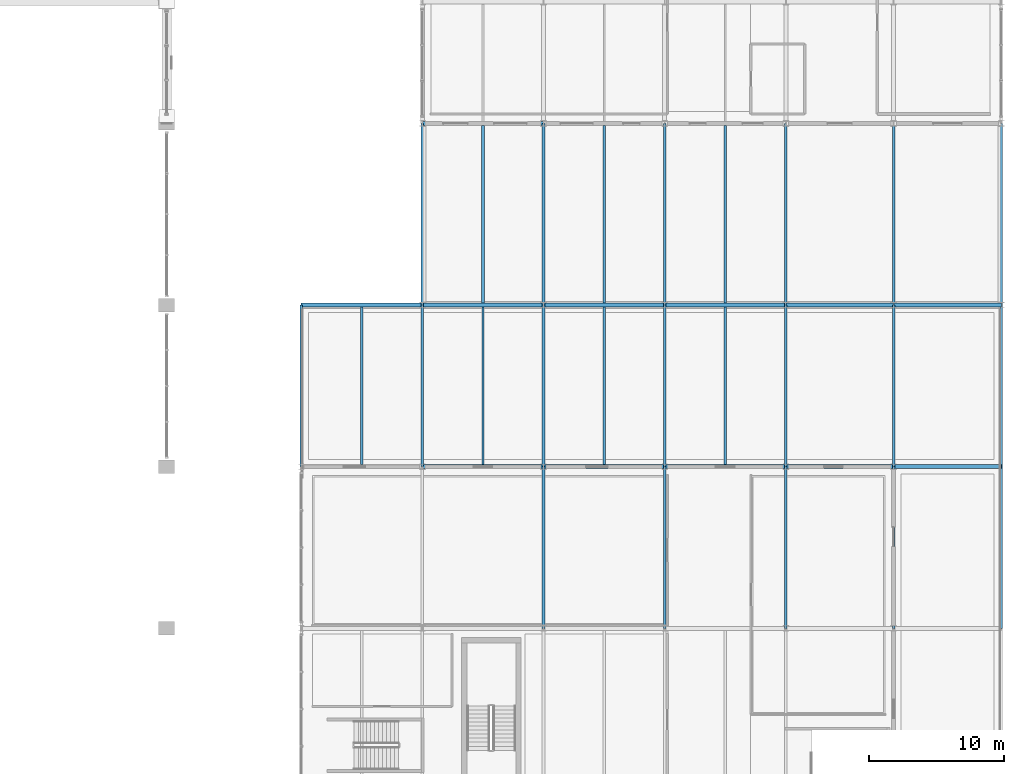
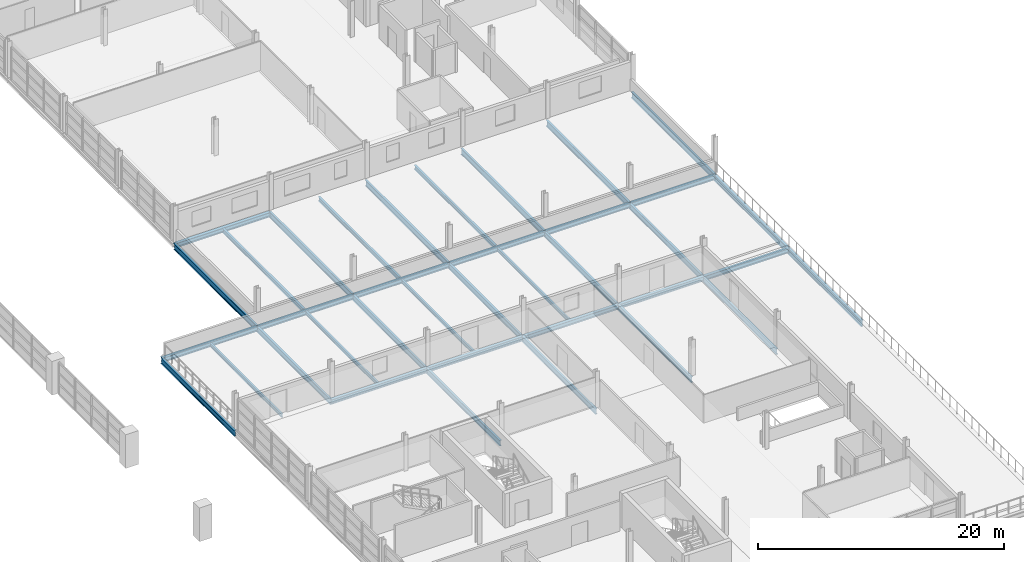
# One storey, part 66 of 116: 37 beams.
"""IFC4 building model written with IfcOpenShell, lengths in metres."""

from ifc_helpers import new_model, si_unit, direction, frame, origin, origin_2d, place, context, subcontext, project, spatial, i_section, extrude, material, material_profile, profile_set, type_object, element, save


model = new_model("IFC4")

# Units and contexts
model_context = context("Model", 3, precision=1e-05, world=origin(), true_north=direction((0.0, 1.0)))
body_context = subcontext(model_context, "Body", "Model", "MODEL_VIEW")
ifc_project = project(units=[si_unit("LENGTHUNIT", "METRE"), si_unit("AREAUNIT", "SQUARE_METRE"), si_unit("VOLUMEUNIT", "CUBIC_METRE"), si_unit("PLANEANGLEUNIT", "RADIAN"), si_unit("MASSUNIT", "GRAM", prefix="KILO")], contexts=[model_context])

# Site, building, storey
site_placement = place(None, origin())
site = spatial("IfcSite", under=ifc_project, at=site_placement, CompositionType="ELEMENT")
building_placement = place(site_placement, origin())
building = spatial("IfcBuilding", under=site, at=building_placement, Name="Chuanluo Vaults Station", CompositionType="ELEMENT")
storey_placement = place(building_placement, frame((0.0, 0.0, 10.800048828125)))
storey = spatial("IfcBuildingStorey", under=building, at=storey_placement, Name="L02", CompositionType="ELEMENT", Elevation=10.800048828125)

# Beams
ifc_material_1 = material(Name="Steel Q355C", Category="steel")
ifc_material_profile_1 = material_profile(ifc_material_1, i_section(OverallWidth=0.300048828125, OverallDepth=0.43994140625, WebThickness=0.010986328125, FlangeThickness=0.01806640625, FilletRadius=0.02001953125, at=origin_2d()))
ifc_profile_set_1 = profile_set([ifc_material_profile_1], Name="Steel Q355C")
beam_type_1 = type_object("IfcBeamType", Name="BM-GRD-450", PredefinedType="USERDEFINED", material=ifc_profile_set_1)
for number, where, z_axis, x_axis, name in (
    (1, (145.0, 42.0, -0.469970703125), (1.0, 0.0, 0.0), (0.0, 1.0, 0.0), "Floor girder BM:GX:L02:0567"),
    (2, (154.0, 42.0, -0.469970703125), (1.0, 0.0, 0.0), (0.0, 1.0, 0.0), "Floor girder BM:GX:L02:0568"),
    (3, (163.0, 42.0, -0.469970703125), (1.0, 0.0, 0.0), (0.0, 1.0, 0.0), "Floor girder BM:GX:L02:0569"),
):
    element("IfcBeam", number, at=place(storey_placement, frame(where, z_axis=z_axis, x_axis=x_axis)), inside=storey, type_object=beam_type_1, Name=name, ObjectType="GIRDER", PredefinedType="USERDEFINED", context=body_context, shape_type="SweptSolid", body=[
        extrude(i_section(OverallWidth=0.300048828125, OverallDepth=0.43994140625, WebThickness=0.010986328125, FlangeThickness=0.01806640625, FilletRadius=0.02001953125, at=origin_2d()), origin(), (0.0, 0.0, 1.0), 9.0),
    ])
for number, where, z_axis, x_axis, name in (
    (4, (172.0, 42.0, -0.469970703125), (1.0, 0.0, 0.0), (0.0, 1.0, 0.0), "Floor girder BM:GX:L02:0570"),
    (5, (180.0, 42.0, -0.469970703125), (1.0, 0.0, 0.0), (0.0, 1.0, 0.0), "Floor girder BM:GX:L02:0571"),
):
    element("IfcBeam", number, at=place(storey_placement, frame(where, z_axis=z_axis, x_axis=x_axis)), inside=storey, type_object=beam_type_1, Name=name, ObjectType="GIRDER", PredefinedType="USERDEFINED", context=body_context, shape_type="SweptSolid", body=[
        extrude(i_section(OverallWidth=0.300048828125, OverallDepth=0.43994140625, WebThickness=0.010986328125, FlangeThickness=0.01806640625, FilletRadius=0.02001953125, at=origin_2d()), origin(), (0.0, 0.0, 1.0), 8.0),
    ])
for number, where, z_axis, x_axis, name in (
    (6, (136.0, 54.0, -0.469970703125), (1.0, 0.0, 0.0), (0.0, 1.0, 0.0), "Floor girder BM:GX:L02:0572"),
    (7, (145.0, 54.0, -0.469970703125), (1.0, 0.0, 0.0), (0.0, 1.0, 0.0), "Floor girder BM:GX:L02:0573"),
    (8, (154.0, 54.0, -0.469970703125), (1.0, 0.0, 0.0), (0.0, 1.0, 0.0), "Floor girder BM:GX:L02:0574"),
    (9, (163.0, 54.0, -0.469970703125), (1.0, 0.0, 0.0), (0.0, 1.0, 0.0), "Floor girder BM:GX:L02:0575"),
):
    element("IfcBeam", number, at=place(storey_placement, frame(where, z_axis=z_axis, x_axis=x_axis)), inside=storey, type_object=beam_type_1, Name=name, ObjectType="GIRDER", PredefinedType="USERDEFINED", context=body_context, shape_type="SweptSolid", body=[
        extrude(i_section(OverallWidth=0.300048828125, OverallDepth=0.43994140625, WebThickness=0.010986328125, FlangeThickness=0.01806640625, FilletRadius=0.02001953125, at=origin_2d()), origin(), (0.0, 0.0, 1.0), 9.0),
    ])
for number, where, z_axis, x_axis, name in (
    (10, (172.0, 54.0, -0.469970703125), (1.0, 0.0, 0.0), (0.0, 1.0, 0.0), "Floor girder BM:GX:L02:0576"),
    (11, (180.0, 54.0, -0.469970703125), (1.0, 0.0, 0.0), (0.0, 1.0, 0.0), "Floor girder BM:GX:L02:0577"),
):
    element("IfcBeam", number, at=place(storey_placement, frame(where, z_axis=z_axis, x_axis=x_axis)), inside=storey, type_object=beam_type_1, Name=name, ObjectType="GIRDER", PredefinedType="USERDEFINED", context=body_context, shape_type="SweptSolid", body=[
        extrude(i_section(OverallWidth=0.300048828125, OverallDepth=0.43994140625, WebThickness=0.010986328125, FlangeThickness=0.01806640625, FilletRadius=0.02001953125, at=origin_2d()), origin(), (0.0, 0.0, 1.0), 8.0),
    ])
beam_1_placement = place(storey_placement, frame((145.0, 67.5, -0.43994140625), z_axis=(1.0, 0.0, 0.0), x_axis=(0.0, 1.0, 0.0)))
element("IfcBeam", 12, at=beam_1_placement, inside=storey, type_object=beam_type_1, Name="Floor girder BM:GX:L02:0578", ObjectType="GIRDER", PredefinedType="USERDEFINED", context=body_context, shape_type="SweptSolid", body=[
    extrude(i_section(OverallWidth=0.300048828125, OverallDepth=0.43994140625, WebThickness=0.010986328125, FlangeThickness=0.01806640625, FilletRadius=0.02001953125, at=origin_2d()), origin(), (0.0, 0.0, 1.0), 9.0),
])
ifc_material_2 = material(Name="Steel Q355C", Category="steel")
ifc_material_profile_2 = material_profile(ifc_material_2, i_section(OverallWidth=0.199951171875, OverallDepth=0.550048828125, WebThickness=0.010009765625, FlangeThickness=0.01611328125, FilletRadius=0.01806640625, at=origin_2d()))
ifc_profile_set_2 = profile_set([ifc_material_profile_2], Name="Steel Q355C")
beam_type_2 = type_object("IfcBeamType", Name="BM-GRD-550", PredefinedType="USERDEFINED", material=ifc_profile_set_2)
for number, where, z_axis, x_axis, name in (
    (13, (136.0, 42.0, -0.525146484375), (0.0, 1.0, 0.0), (-1.0, 0.0, 0.0), "Floor girder BM:GY:L02:0638"),
    (14, (145.0, 42.0, -0.525146484375), (0.0, 1.0, 0.0), (-1.0, 0.0, 0.0), "Floor girder BM:GY:L02:0644"),
    (15, (154.0, 30.0, -0.51513671875), (0.0, 1.0, 0.0), (-1.0, 0.0, 0.0), "Floor girder BM:GY:L02:0655"),
    (16, (154.0, 42.0, -0.525146484375), (0.0, 1.0, 0.0), (-1.0, 0.0, 0.0), "Floor girder BM:GY:L02:0656"),
    (17, (163.0, 30.0, -0.51513671875), (0.0, 1.0, 0.0), (-1.0, 0.0, 0.0), "Floor girder BM:GY:L02:0666"),
    (18, (163.0, 42.0, -0.525146484375), (0.0, 1.0, 0.0), (-1.0, 0.0, 0.0), "Floor girder BM:GY:L02:0667"),
    (19, (172.0, 30.0, -0.51513671875), (0.0, 1.0, 0.0), (-1.0, 0.0, 0.0), "Floor girder BM:GY:L02:0678"),
    (20, (172.0, 42.0, -0.525146484375), (0.0, 1.0, 0.0), (-1.0, 0.0, 0.0), "Floor girder BM:GY:L02:0679"),
    (21, (180.0, 30.0, -0.525146484375), (0.0, 1.0, 0.0), (-1.0, 0.0, 0.0), "Floor girder BM:GY:L02:0690"),
    (22, (180.0, 42.0, -0.525146484375), (0.0, 1.0, 0.0), (-1.0, 0.0, 0.0), "Floor girder BM:GY:L02:0691"),
):
    element("IfcBeam", number, at=place(storey_placement, frame(where, z_axis=z_axis, x_axis=x_axis)), inside=storey, type_object=beam_type_2, Name=name, ObjectType="GIRDER", PredefinedType="USERDEFINED", context=body_context, shape_type="SweptSolid", body=[
        extrude(i_section(OverallWidth=0.199951171875, OverallDepth=0.550048828125, WebThickness=0.010009765625, FlangeThickness=0.01611328125, FilletRadius=0.01806640625, at=origin_2d()), origin(), (0.0, 0.0, 1.0), 12.0),
    ])
ifc_material_3 = material(Name="Steel Q355C", Category="steel")
ifc_material_profile_3 = material_profile(ifc_material_3, i_section(OverallWidth=0.199951171875, OverallDepth=0.60009765625, WebThickness=0.010986328125, FlangeThickness=0.01708984375, FilletRadius=0.01806640625, at=origin_2d()))
ifc_profile_set_3 = profile_set([ifc_material_profile_3], Name="Steel Q355C")
beam_type_3 = type_object("IfcBeamType", Name="BM-GRD-600", PredefinedType="USERDEFINED", material=ifc_profile_set_3)
for number, where, z_axis, x_axis, name in (
    (23, (145.0, 54.0, -0.505126953125), (0.0, 1.0, 0.0), (-1.0, 0.0, 0.0), "Floor girder BM:GY:L02:0645"),
    (24, (154.0, 54.0, -0.505126953125), (0.0, 1.0, 0.0), (-1.0, 0.0, 0.0), "Floor girder BM:GY:L02:0657"),
    (25, (163.0, 54.0, -0.505126953125), (0.0, 1.0, 0.0), (-1.0, 0.0, 0.0), "Floor girder BM:GY:L02:0668"),
    (26, (172.0, 54.0, -0.505126953125), (0.0, 1.0, 0.0), (-1.0, 0.0, 0.0), "Floor girder BM:GY:L02:0680"),
    (27, (180.0, 54.0, -0.505126953125), (0.0, 1.0, 0.0), (-1.0, 0.0, 0.0), "Floor girder BM:GY:L02:0692"),
):
    element("IfcBeam", number, at=place(storey_placement, frame(where, z_axis=z_axis, x_axis=x_axis)), inside=storey, type_object=beam_type_3, Name=name, ObjectType="GIRDER", PredefinedType="USERDEFINED", context=body_context, shape_type="SweptSolid", body=[
        extrude(i_section(OverallWidth=0.199951171875, OverallDepth=0.60009765625, WebThickness=0.010986328125, FlangeThickness=0.01708984375, FilletRadius=0.01806640625, at=origin_2d()), origin(), (0.0, 0.0, 1.0), 13.5),
    ])
ifc_material_4 = material(Name="Steel Q355C", Category="steel")
ifc_material_profile_4 = material_profile(ifc_material_4, i_section(OverallWidth=0.175048828125, OverallDepth=0.35009765625, WebThickness=0.007080078125, FlangeThickness=0.010986328125, FilletRadius=0.013916015625, at=origin_2d()))
ifc_profile_set_4 = profile_set([ifc_material_profile_4], Name="Steel Q355C")
beam_type_4 = type_object("IfcBeamType", Name="BM-SEC-350", PredefinedType="JOIST", material=ifc_profile_set_4)
for number, where, z_axis, x_axis, name in (
    (28, (140.5, 42.155029296875, -0.425048828125), (0.0, 1.0, 0.0), (-1.0, 0.0, 0.0), "Composite secondary joist 0196"),
    (29, (149.5, 42.155029296875, -0.425048828125), (0.0, 1.0, 0.0), (-1.0, 0.0, 0.0), "Composite secondary joist 0201"),
    (30, (158.5, 42.155029296875, -0.425048828125), (0.0, 1.0, 0.0), (-1.0, 0.0, 0.0), "Composite secondary joist 0210"),
    (31, (167.5, 42.155029296875, -0.425048828125), (0.0, 1.0, 0.0), (-1.0, 0.0, 0.0), "Composite secondary joist 0220"),
):
    element("IfcBeam", number, at=place(storey_placement, frame(where, z_axis=z_axis, x_axis=x_axis)), inside=storey, type_object=beam_type_4, Name=name, PredefinedType="JOIST", context=body_context, shape_type="SweptSolid", body=[
        extrude(i_section(OverallWidth=0.175048828125, OverallDepth=0.35009765625, WebThickness=0.007080078125, FlangeThickness=0.010986328125, FilletRadius=0.013916015625, at=origin_2d()), origin(), (0.0, 0.0, 1.0), 11.68994140625),
    ])
ifc_material_5 = material(Name="Steel Q355C", Category="steel")
ifc_material_profile_5 = material_profile(ifc_material_5, i_section(OverallWidth=0.199951171875, OverallDepth=0.39990234375, WebThickness=0.008056640625, FlangeThickness=0.012939453125, FilletRadius=0.01611328125, at=origin_2d()))
ifc_profile_set_5 = profile_set([ifc_material_profile_5], Name="Steel Q355C")
beam_type_5 = type_object("IfcBeamType", Name="BM-SEC-400", PredefinedType="BEAM", material=ifc_profile_set_5)
for number, where, z_axis, x_axis, name in (
    (32, (149.5, 54.155029296875, -0.405029296875), (0.0, 1.0, 0.0), (-1.0, 0.0, 0.0), "Composite secondary joist 0202"),
    (33, (158.5, 54.155029296875, -0.405029296875), (0.0, 1.0, 0.0), (-1.0, 0.0, 0.0), "Composite secondary joist 0211"),
    (34, (167.5, 54.155029296875, -0.405029296875), (0.0, 1.0, 0.0), (-1.0, 0.0, 0.0), "Composite secondary joist 0221"),
):
    element("IfcBeam", number, at=place(storey_placement, frame(where, z_axis=z_axis, x_axis=x_axis)), inside=storey, type_object=beam_type_5, Name=name, PredefinedType="BEAM", context=body_context, shape_type="SweptSolid", body=[
        extrude(i_section(OverallWidth=0.199951171875, OverallDepth=0.39990234375, WebThickness=0.008056640625, FlangeThickness=0.012939453125, FilletRadius=0.01611328125, at=origin_2d()), origin(), (0.0, 0.0, 1.0), 13.18994140625),
    ])
ifc_material_6 = material(Name="Steel Q355C", Category="steel")
ifc_material_profile_6 = material_profile(ifc_material_6, i_section(OverallWidth=0.2099609375, OverallDepth=0.580078125, WebThickness=0.010986328125, FlangeThickness=0.01708984375, FilletRadius=0.01806640625, at=origin_2d()))
ifc_profile_set_6 = profile_set([ifc_material_profile_6], Name="Steel Q355C")
beam_type_6 = type_object("IfcBeamType", Name="BM-SPN-600", PredefinedType="SPANDREL", material=ifc_profile_set_6)
for number, where, z_axis, x_axis, name in (
    (35, (188.0, 30.0, -0.5400390625), (0.0, 1.0, 0.0), (-1.0, 0.0, 0.0), "Floor girder BM:GY:L02:0702"),
    (36, (188.0, 42.0, -0.5400390625), (0.0, 1.0, 0.0), (-1.0, 0.0, 0.0), "Floor girder BM:GY:L02:0703"),
):
    element("IfcBeam", number, at=place(storey_placement, frame(where, z_axis=z_axis, x_axis=x_axis)), inside=storey, type_object=beam_type_6, Name=name, PredefinedType="SPANDREL", context=body_context, shape_type="SweptSolid", body=[
        extrude(i_section(OverallWidth=0.2099609375, OverallDepth=0.580078125, WebThickness=0.010986328125, FlangeThickness=0.01708984375, FilletRadius=0.01806640625, at=origin_2d()), origin(), (0.0, 0.0, 1.0), 12.0),
    ])
beam_2_placement = place(storey_placement, frame((188.0, 54.0, -0.4951171875), z_axis=(0.0, 1.0, 0.0), x_axis=(-1.0, 0.0, 0.0)))
element("IfcBeam", 37, at=beam_2_placement, inside=storey, type_object=beam_type_6, Name="Floor girder BM:GY:L02:0704", PredefinedType="SPANDREL", context=body_context, shape_type="SweptSolid", body=[
    extrude(i_section(OverallWidth=0.2099609375, OverallDepth=0.580078125, WebThickness=0.010986328125, FlangeThickness=0.01708984375, FilletRadius=0.01806640625, at=origin_2d()), origin(), (0.0, 0.0, 1.0), 13.5),
])

save(model, "model.ifc")
